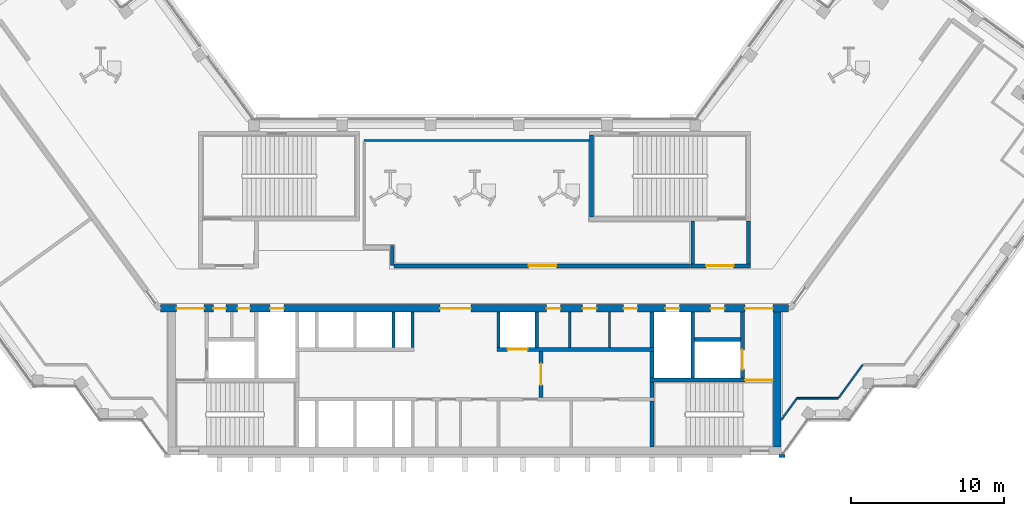
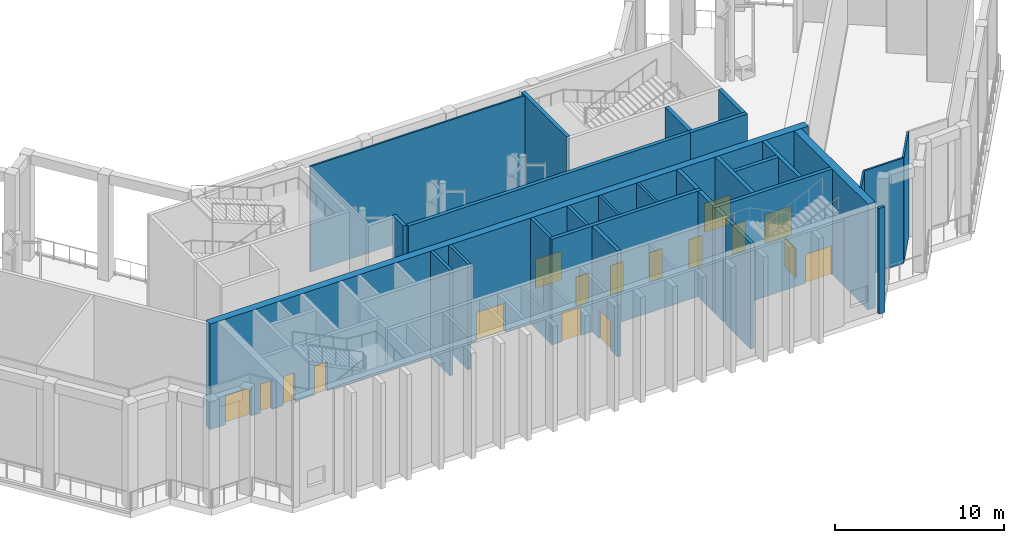
# One storey, part 4 of 12: 29 walls, 17 doors, 17 openings.
"""IFC4 building model written with IfcOpenShell, lengths in metres."""

from ifc_helpers import new_model, si_unit, direction, frame, frame_2d, origin, place, context, subcontext, project, spatial, rectangle, extrude, material, layer, layer_set, type_object, element, fill, save


model = new_model("IFC4")

# Units and contexts
model_context = context("Model", 3, precision=1e-05, world=origin(), true_north=direction((0.0, 1.0)))
body_context = subcontext(model_context, "Body", "Model", "MODEL_VIEW")
ifc_project = project(units=[si_unit("LENGTHUNIT", "METRE"), si_unit("AREAUNIT", "SQUARE_METRE"), si_unit("VOLUMEUNIT", "CUBIC_METRE"), si_unit("PLANEANGLEUNIT", "RADIAN"), si_unit("MASSUNIT", "GRAM", prefix="KILO")], contexts=[model_context])

# Site, building, storey
site_placement = place(None, origin())
site = spatial("IfcSite", under=ifc_project, at=site_placement, CompositionType="ELEMENT")
building_placement = place(site_placement, origin())
building = spatial("IfcBuilding", under=site, at=building_placement, Name="Quipu Civic Tower", CompositionType="ELEMENT")
storey_placement = place(building_placement, frame((0.0, 0.0, 273.0)))
storey = spatial("IfcBuildingStorey", under=building, at=storey_placement, Name="L64", CompositionType="ELEMENT", Elevation=273.0)

# Wall
ifc_material_1 = material(Name="Concrete C70/85", Category="concrete")
ifc_layer_1 = layer(ifc_material_1, 0.25)
ifc_layer_set_1 = layer_set([ifc_layer_1], Name="Concrete C70/85")
wall_type_1 = type_object("IfcWallType", Name="Core wall 250", PredefinedType="SHEAR", material=ifc_layer_set_1)
wall_1_placement = place(storey_placement, frame((11.574951171875, -10.5, 0.0), z_axis=(0.0, 0.0, 1.0), x_axis=(0.0, 1.0, 0.0)))
element("IfcWall", 1, at=wall_1_placement, inside=storey, type_object=wall_type_1, Name="Core wall", PredefinedType="SHEAR", context=body_context, shape_type="SweptSolid", body=[
    extrude(rectangle(XDim=3.0, YDim=0.25, at=frame_2d((1.5, 0.0))), origin(), (0.0, 0.0, 1.0), 7.64990234375),
])

# Wall, opening, door
wall_2_placement = place(storey_placement, frame((4.324951171875, -7.25, 0.0), z_axis=(0.0, 0.0, 1.0), x_axis=(0.0, 1.0, 0.0)))
wall_2 = element("IfcWall", 2, at=wall_2_placement, inside=storey, type_object=wall_type_1, Name="Core wall", PredefinedType="SHEAR", context=body_context, shape_type="SweptSolid", body=[
    extrude(rectangle(XDim=3.0, YDim=0.25, at=frame_2d((1.5, 0.0))), origin(), (0.0, 0.0, 1.0), 7.64990234375),
])
opening_1_placement = place(wall_2_placement, frame((0.800048828125, 0.0, 0.0)))
opening_1 = element("IfcOpeningElement", 3, at=opening_1_placement, cuts=wall_2, Name="Opening CD-08", PredefinedType="OPENING", context=body_context, shape_type="SweptSolid", body=[
    extrude(rectangle(XDim=1.39990234375, YDim=2.10009765625, at=frame_2d((0.699951171875, 1.050048828125))), frame((0.0, 0.135009765625, 0.0), z_axis=(0.0, -1.0, 0.0), x_axis=(1.0, 0.0, 0.0)), (0.0, 0.0, 1.0), 0.27001953125),
])
ifc_material_2 = material(Name="Fire rated steel door", Category="steel")
door_type_1 = type_object("IfcDoorType", Name="Fire door FD60 double 1400 x 2100", OperationType="NOTDEFINED", PredefinedType="DOOR", material=ifc_material_2)
door_1_placement = place(opening_1_placement, origin())
door_1 = element("IfcDoor", 4, at=door_1_placement, inside=storey, type_object=door_type_1, Name="Hall door", OperationType="DOUBLE_DOOR_SINGLE_SWING", OverallHeight=2.10009765625, OverallWidth=1.39990234375, PredefinedType="DOOR", context=body_context, shape_type="SweptSolid", body=[
    extrude(rectangle(XDim=1.39990234375, YDim=2.10009765625, at=frame_2d((0.699951171875, 1.050048828125))), frame((0.0, 0.02490234375, 0.0), z_axis=(0.0, -1.0, 0.0), x_axis=(1.0, 0.0, 0.0)), (0.0, 0.0, 1.0), 0.050048828125),
])
fill(opening_1, door_1)

# Wall
wall_3_placement = place(storey_placement, frame((11.574951171875, -7.25, 0.0), z_axis=(0.0, 0.0, 1.0), x_axis=(0.0, 1.0, 0.0)))
element("IfcWall", 5, at=wall_3_placement, inside=storey, type_object=wall_type_1, Name="Core wall", PredefinedType="SHEAR", context=body_context, shape_type="SweptSolid", body=[
    extrude(rectangle(XDim=1.0, YDim=0.25, at=frame_2d((0.5, 0.0))), origin(), (0.0, 0.0, 1.0), 7.64990234375),
])

# Wall, opening, door
wall_4_placement = place(storey_placement, frame((19.5, -6.125, 0.0), z_axis=(0.0, 0.0, 1.0), x_axis=(-1.0, 0.0, 0.0)))
wall_4 = element("IfcWall", 6, at=wall_4_placement, inside=storey, type_object=wall_type_1, Name="Core wall", PredefinedType="SHEAR", context=body_context, shape_type="SweptSolid", body=[
    extrude(rectangle(XDim=8.050048828125, YDim=0.25, at=frame_2d((4.02490234375, 0.0))), origin(), (0.0, 0.0, 1.0), 7.64990234375),
])
opening_2_placement = place(wall_4_placement, frame((0.050048828125, 0.0, 0.0)))
opening_2 = element("IfcOpeningElement", 7, at=opening_2_placement, cuts=wall_4, Name="Opening CD-07", PredefinedType="OPENING", context=body_context, shape_type="SweptSolid", body=[
    extrude(rectangle(XDim=1.800048828125, YDim=2.10009765625, at=frame_2d((0.89990234375, 1.050048828125))), frame((0.0, 0.135009765625, 0.0), z_axis=(0.0, -1.0, 0.0), x_axis=(1.0, 0.0, 0.0)), (0.0, 0.0, 1.0), 0.27001953125),
])
ifc_material_3 = material(Name="Fire rated steel door", Category="steel")
door_type_2 = type_object("IfcDoorType", Name="Fire door FD90 double 1800 x 2100", OperationType="NOTDEFINED", PredefinedType="DOOR", material=ifc_material_3)
door_2_placement = place(opening_2_placement, origin())
door_2 = element("IfcDoor", 8, at=door_2_placement, inside=storey, type_object=door_type_2, Name="Door", OperationType="DOUBLE_DOOR_SINGLE_SWING", OverallHeight=2.10009765625, OverallWidth=1.800048828125, PredefinedType="DOOR", context=body_context, shape_type="SweptSolid", body=[
    extrude(rectangle(XDim=1.800048828125, YDim=2.10009765625, at=frame_2d((0.89990234375, 1.050048828125))), frame((0.0, 0.02490234375, 0.0), z_axis=(0.0, -1.0, 0.0), x_axis=(1.0, 0.0, 0.0)), (0.0, 0.0, 1.0), 0.050048828125),
])
fill(opening_2, door_2)

# Walls
wall_5_placement = place(storey_placement, frame((11.574951171875, -6.0, 0.0), z_axis=(0.0, 0.0, 1.0), x_axis=(0.0, 1.0, 0.0)))
element("IfcWall", 9, at=wall_5_placement, inside=storey, type_object=wall_type_1, Name="Core wall", PredefinedType="SHEAR", context=body_context, shape_type="SweptSolid", body=[
    extrude(rectangle(XDim=1.75, YDim=0.25, at=frame_2d((0.875, 0.0))), origin(), (0.0, 0.0, 1.0), 7.64990234375),
])
wall_6_placement = place(storey_placement, frame((14.22509765625, -6.0, 0.0), z_axis=(0.0, 0.0, 1.0), x_axis=(0.0, 1.0, 0.0)))
element("IfcWall", 10, at=wall_6_placement, inside=storey, type_object=wall_type_1, Name="Core wall", PredefinedType="SHEAR", context=body_context, shape_type="SweptSolid", body=[
    extrude(rectangle(XDim=4.300048828125, YDim=0.25, at=frame_2d((2.14990234375, 0.0))), origin(), (0.0, 0.0, 1.0), 7.64990234375),
])

# Wall, opening, door
wall_7_placement = place(storey_placement, frame((17.47509765625, -6.0, 0.0), z_axis=(0.0, 0.0, 1.0), x_axis=(0.0, 1.0, 0.0)))
wall_7 = element("IfcWall", 11, at=wall_7_placement, inside=storey, type_object=wall_type_1, Name="Core wall", PredefinedType="SHEAR", context=body_context, shape_type="SweptSolid", body=[
    extrude(rectangle(XDim=4.300048828125, YDim=0.25, at=frame_2d((2.14990234375, 0.0))), origin(), (0.0, 0.0, 1.0), 7.64990234375),
])
opening_3_placement = place(wall_7_placement, frame((0.550048828125, 0.0, 0.0)))
opening_3 = element("IfcOpeningElement", 12, at=opening_3_placement, cuts=wall_7, Name="Opening LD-FF2", PredefinedType="OPENING", context=body_context, shape_type="SweptSolid", body=[
    extrude(rectangle(XDim=1.300048828125, YDim=2.10009765625, at=frame_2d((0.64990234375, 1.050048828125))), frame((0.0, 0.135009765625, 0.0), z_axis=(0.0, -1.0, 0.0), x_axis=(1.0, 0.0, 0.0)), (0.0, 0.0, 1.0), 0.27001953125),
])
ifc_material_4 = material(Name="Stainless steel", Category="steel")
door_type_3 = type_object("IfcDoorType", Name="Lift landing door 1300 x 2100", OperationType="DOUBLE_DOOR_SLIDING", PredefinedType="DOOR", material=ifc_material_4)
door_3_placement = place(opening_3_placement, origin())
door_3 = element("IfcDoor", 13, at=door_3_placement, inside=storey, type_object=door_type_3, Name="Landing door FF2", OperationType="DOUBLE_DOOR_SLIDING", OverallHeight=2.10009765625, OverallWidth=1.300048828125, PredefinedType="DOOR", context=body_context, shape_type="SweptSolid", body=[
    extrude(rectangle(XDim=1.300048828125, YDim=2.10009765625, at=frame_2d((0.64990234375, 1.050048828125))), frame((0.0, 0.02490234375, 0.0), z_axis=(0.0, -1.0, 0.0), x_axis=(1.0, 0.0, 0.0)), (0.0, 0.0, 1.0), 0.050048828125),
])
fill(opening_3, door_3)

wall_8_placement = place(storey_placement, frame((1.449951171875, -4.125, 0.0), z_axis=(0.0, 0.0, 1.0), x_axis=(1.0, 0.0, 0.0)))
wall_8 = element("IfcWall", 14, at=wall_8_placement, inside=storey, type_object=wall_type_1, Name="Core wall", PredefinedType="SHEAR", context=body_context, shape_type="SweptSolid", body=[
    extrude(rectangle(XDim=10.25, YDim=0.25, at=frame_2d((5.125, 0.0))), origin(), (0.0, 0.0, 1.0), 7.64990234375),
])
opening_4_placement = place(wall_8_placement, frame((0.699951171875, 0.0, 0.0)))
opening_4 = element("IfcOpeningElement", 15, at=opening_4_placement, cuts=wall_8, Name="Opening LD-FF3", PredefinedType="OPENING", context=body_context, shape_type="SweptSolid", body=[
    extrude(rectangle(XDim=1.300048828125, YDim=2.10009765625, at=frame_2d((0.64990234375, 1.050048828125))), frame((0.0, 0.135009765625, 0.0), z_axis=(0.0, -1.0, 0.0), x_axis=(1.0, 0.0, 0.0)), (0.0, 0.0, 1.0), 0.27001953125),
])
door_4_placement = place(opening_4_placement, origin())
door_4 = element("IfcDoor", 16, at=door_4_placement, inside=storey, type_object=door_type_3, Name="Landing door FF3", OperationType="DOUBLE_DOOR_SLIDING", OverallHeight=2.10009765625, OverallWidth=1.300048828125, PredefinedType="DOOR", context=body_context, shape_type="SweptSolid", body=[
    extrude(rectangle(XDim=1.300048828125, YDim=2.10009765625, at=frame_2d((0.64990234375, 1.050048828125))), frame((0.0, 0.02490234375, 0.0), z_axis=(0.0, -1.0, 0.0), x_axis=(1.0, 0.0, 0.0)), (0.0, 0.0, 1.0), 0.050048828125),
])
fill(opening_4, door_4)

# Walls
wall_9_placement = place(storey_placement, frame((11.574951171875, -4.0, 0.0), z_axis=(0.0, 0.0, 1.0), x_axis=(0.0, 1.0, 0.0)))
element("IfcWall", 17, at=wall_9_placement, inside=storey, type_object=wall_type_1, Name="Core wall", PredefinedType="SHEAR", context=body_context, shape_type="SweptSolid", body=[
    extrude(rectangle(XDim=2.300048828125, YDim=0.25, at=frame_2d((1.14990234375, 0.0))), origin(), (0.0, 0.0, 1.0), 7.64990234375),
])
wall_10_placement = place(storey_placement, frame((14.35009765625, -3.47509765625, 0.0), z_axis=(0.0, 0.0, 1.0), x_axis=(1.0, 0.0, 0.0)))
element("IfcWall", 18, at=wall_10_placement, inside=storey, type_object=wall_type_1, Name="Core wall", PredefinedType="SHEAR", context=body_context, shape_type="SweptSolid", body=[
    extrude(rectangle(XDim=3.0, YDim=0.25, at=frame_2d((1.5, 0.0))), origin(), (0.0, 0.0, 1.0), 7.64990234375),
])

# Wall, opening, door
wall_11_placement = place(storey_placement, frame((14.10009765625, 1.324951171875, 0.0), z_axis=(0.0, 0.0, 1.0), x_axis=(1.0, 0.0, 0.0)))
wall_11 = element("IfcWall", 19, at=wall_11_placement, inside=storey, type_object=wall_type_1, Name="Core wall", PredefinedType="SHEAR", context=body_context, shape_type="SweptSolid", body=[
    extrude(rectangle(XDim=3.89990234375, YDim=0.25, at=frame_2d((1.949951171875, 0.0))), origin(), (0.0, 0.0, 1.0), 7.64990234375),
])
opening_5_placement = place(wall_11_placement, frame((1.0, 0.0, 0.0)))
opening_5 = element("IfcOpeningElement", 20, at=opening_5_placement, cuts=wall_11, Name="Opening CD-22", PredefinedType="OPENING", context=body_context, shape_type="SweptSolid", body=[
    extrude(rectangle(XDim=1.800048828125, YDim=2.10009765625, at=frame_2d((0.89990234375, 1.050048828125))), frame((0.0, 0.135009765625, 0.0), z_axis=(0.0, -1.0, 0.0), x_axis=(1.0, 0.0, 0.0)), (0.0, 0.0, 1.0), 0.27001953125),
])
door_5_placement = place(opening_5_placement, origin())
door_5 = element("IfcDoor", 21, at=door_5_placement, inside=storey, type_object=door_type_2, Name="Lobby door", OperationType="DOUBLE_DOOR_SINGLE_SWING", OverallHeight=2.10009765625, OverallWidth=1.800048828125, PredefinedType="DOOR", context=body_context, shape_type="SweptSolid", body=[
    extrude(rectangle(XDim=1.800048828125, YDim=2.10009765625, at=frame_2d((0.89990234375, 1.050048828125))), frame((0.0, 0.02490234375, 0.0), z_axis=(0.0, -1.0, 0.0), x_axis=(1.0, 0.0, 0.0)), (0.0, 0.0, 1.0), 0.050048828125),
])
fill(opening_5, door_5)

# Walls
for number, where, z_axis, x_axis, name in (
    (22, (14.22509765625, 1.449951171875, 0.0), (0.0, 0.0, 1.0), (0.0, 1.0, 0.0), "Core wall"),
    (23, (17.875, 1.449951171875, 0.0), (0.0, 0.0, 1.0), (0.0, 1.0, 0.0), "Core wall"),
):
    element("IfcWall", number, at=place(storey_placement, frame(where, z_axis=z_axis, x_axis=x_axis)), inside=storey, type_object=wall_type_1, Name=name, PredefinedType="SHEAR", context=body_context, shape_type="SweptSolid", body=[
        extrude(rectangle(XDim=2.800048828125, YDim=0.25, at=frame_2d((1.39990234375, 0.0))), origin(), (0.0, 0.0, 1.0), 7.64990234375),
    ])
wall_12_placement = place(storey_placement, frame((7.625, 4.5, 0.0), z_axis=(0.0, 0.0, 1.0), x_axis=(0.0, 1.0, 0.0)))
element("IfcWall", 24, at=wall_12_placement, inside=storey, type_object=wall_type_1, Name="Core wall", PredefinedType="SHEAR", context=body_context, shape_type="SweptSolid", body=[
    extrude(rectangle(XDim=5.35009765625, YDim=0.25, at=frame_2d((2.675048828125, 0.0))), origin(), (0.0, 0.0, 1.0), 7.64990234375),
])
ifc_material_5 = material(Name="Concrete C70/85", Category="concrete")
ifc_layer_2 = layer(ifc_material_5, 0.5)
ifc_layer_set_2 = layer_set([ifc_layer_2], Name="Concrete C70/85")
wall_type_2 = type_object("IfcWallType", Name="Core wall 500", PredefinedType="SHEAR", material=ifc_layer_set_2)
wall_13_placement = place(storey_placement, frame((19.75, -10.5, 0.0), z_axis=(0.0, 0.0, 1.0), x_axis=(0.0, 1.0, 0.0)))
element("IfcWall", 25, at=wall_13_placement, inside=storey, type_object=wall_type_2, Name="Core wall", PredefinedType="SHEAR", context=body_context, shape_type="SweptSolid", body=[
    extrude(rectangle(XDim=8.800048828125, YDim=0.5, at=frame_2d((4.39990234375, 0.0))), origin(), (0.0, 0.0, 1.0), 7.64990234375),
])

# Wall, openings, doors
wall_14_placement = place(storey_placement, frame((20.489990234375, -1.449951171875, 0.0), z_axis=(0.0, 0.0, 1.0), x_axis=(-1.0, 0.0, 0.0)))
wall_14 = element("IfcWall", 26, at=wall_14_placement, inside=storey, type_object=wall_type_2, Name="Core wall", PredefinedType="SHEAR", context=body_context, shape_type="SweptSolid", body=[
    extrude(rectangle(XDim=40.97998046875, YDim=0.5, at=frame_2d((20.489990234375, 0.0))), origin(), (0.0, 0.0, 1.0), 7.64990234375),
])
opening_6_placement = place(wall_14_placement, frame((38.139892578125, 0.0, 0.0)))
opening_6 = element("IfcOpeningElement", 27, at=opening_6_placement, cuts=wall_14, Name="Opening CD-09", PredefinedType="OPENING", context=body_context, shape_type="SweptSolid", body=[
    extrude(rectangle(XDim=1.800048828125, YDim=2.10009765625, at=frame_2d((0.89990234375, 1.050048828125))), frame((0.0, 0.260009765625, 0.0), z_axis=(0.0, -1.0, 0.0), x_axis=(1.0, 0.0, 0.0)), (0.0, 0.0, 1.0), 0.52001953125),
])
opening_7_placement = place(wall_14_placement, frame((36.7275390625, 0.0, 0.0)))
opening_7 = element("IfcOpeningElement", 28, at=opening_7_placement, cuts=wall_14, Name="Opening CD-10", PredefinedType="OPENING", context=body_context, shape_type="SweptSolid", body=[
    extrude(rectangle(XDim=0.800048828125, YDim=2.10009765625, at=frame_2d((0.39990234375, 1.050048828125))), frame((0.0, 0.260009765625, 0.0), z_axis=(0.0, -1.0, 0.0), x_axis=(1.0, 0.0, 0.0)), (0.0, 0.0, 1.0), 0.52001953125),
])
opening_8_placement = place(wall_14_placement, frame((35.152587890625, 0.0, 0.0)))
opening_8 = element("IfcOpeningElement", 29, at=opening_8_placement, cuts=wall_14, Name="Opening CD-11", PredefinedType="OPENING", context=body_context, shape_type="SweptSolid", body=[
    extrude(rectangle(XDim=0.800048828125, YDim=2.10009765625, at=frame_2d((0.39990234375, 1.050048828125))), frame((0.0, 0.260009765625, 0.0), z_axis=(0.0, -1.0, 0.0), x_axis=(1.0, 0.0, 0.0)), (0.0, 0.0, 1.0), 0.52001953125),
])
opening_9_placement = place(wall_14_placement, frame((32.93994140625, 0.0, 0.0)))
opening_9 = element("IfcOpeningElement", 30, at=opening_9_placement, cuts=wall_14, Name="Opening CD-12", PredefinedType="OPENING", context=body_context, shape_type="SweptSolid", body=[
    extrude(rectangle(XDim=0.89990234375, YDim=2.10009765625, at=frame_2d((0.449951171875, 1.050048828125))), frame((0.0, 0.260009765625, 0.0), z_axis=(0.0, -1.0, 0.0), x_axis=(1.0, 0.0, 0.0)), (0.0, 0.0, 1.0), 0.52001953125),
])
opening_10_placement = place(wall_14_placement, frame((20.739990234375, 0.0, 0.0)))
opening_10 = element("IfcOpeningElement", 31, at=opening_10_placement, cuts=wall_14, Name="Opening CD-13", PredefinedType="OPENING", context=body_context, shape_type="SweptSolid", body=[
    extrude(rectangle(XDim=2.0, YDim=2.10009765625, at=frame_2d((1.0, 1.050048828125))), frame((0.0, 0.260009765625, 0.0), z_axis=(0.0, -1.0, 0.0), x_axis=(1.0, 0.0, 0.0)), (0.0, 0.0, 1.0), 0.52001953125),
])
opening_11_placement = place(wall_14_placement, frame((14.902587890625, 0.0, 0.0)))
opening_11 = element("IfcOpeningElement", 32, at=opening_11_placement, cuts=wall_14, Name="Opening CD-14", PredefinedType="OPENING", context=body_context, shape_type="SweptSolid", body=[
    extrude(rectangle(XDim=0.89990234375, YDim=2.10009765625, at=frame_2d((0.449951171875, 1.050048828125))), frame((0.0, 0.260009765625, 0.0), z_axis=(0.0, -1.0, 0.0), x_axis=(1.0, 0.0, 0.0)), (0.0, 0.0, 1.0), 0.52001953125),
])
opening_12_placement = place(wall_14_placement, frame((12.5400390625, 0.0, 0.0)))
opening_12 = element("IfcOpeningElement", 33, at=opening_12_placement, cuts=wall_14, Name="Opening CD-15", PredefinedType="OPENING", context=body_context, shape_type="SweptSolid", body=[
    extrude(rectangle(XDim=0.89990234375, YDim=2.10009765625, at=frame_2d((0.449951171875, 1.050048828125))), frame((0.0, 0.260009765625, 0.0), z_axis=(0.0, -1.0, 0.0), x_axis=(1.0, 0.0, 0.0)), (0.0, 0.0, 1.0), 0.52001953125),
])
opening_13_placement = place(wall_14_placement, frame((9.87744140625, 0.0, 0.0)))
opening_13 = element("IfcOpeningElement", 34, at=opening_13_placement, cuts=wall_14, Name="Opening CD-16", PredefinedType="OPENING", context=body_context, shape_type="SweptSolid", body=[
    extrude(rectangle(XDim=0.89990234375, YDim=2.10009765625, at=frame_2d((0.449951171875, 1.050048828125))), frame((0.0, 0.260009765625, 0.0), z_axis=(0.0, -1.0, 0.0), x_axis=(1.0, 0.0, 0.0)), (0.0, 0.0, 1.0), 0.52001953125),
])
opening_14_placement = place(wall_14_placement, frame((7.139892578125, 0.0, 0.0)))
opening_14 = element("IfcOpeningElement", 35, at=opening_14_placement, cuts=wall_14, Name="Opening CD-17", PredefinedType="OPENING", context=body_context, shape_type="SweptSolid", body=[
    extrude(rectangle(XDim=0.89990234375, YDim=2.10009765625, at=frame_2d((0.449951171875, 1.050048828125))), frame((0.0, 0.260009765625, 0.0), z_axis=(0.0, -1.0, 0.0), x_axis=(1.0, 0.0, 0.0)), (0.0, 0.0, 1.0), 0.52001953125),
])
opening_15_placement = place(wall_14_placement, frame((4.18994140625, 0.0, 0.0)))
opening_15 = element("IfcOpeningElement", 36, at=opening_15_placement, cuts=wall_14, Name="Opening CD-18", PredefinedType="OPENING", context=body_context, shape_type="SweptSolid", body=[
    extrude(rectangle(XDim=0.89990234375, YDim=2.10009765625, at=frame_2d((0.449951171875, 1.050048828125))), frame((0.0, 0.260009765625, 0.0), z_axis=(0.0, -1.0, 0.0), x_axis=(1.0, 0.0, 0.0)), (0.0, 0.0, 1.0), 0.52001953125),
])
opening_16_placement = place(wall_14_placement, frame((1.0400390625, 0.0, 0.0)))
opening_16 = element("IfcOpeningElement", 37, at=opening_16_placement, cuts=wall_14, Name="Opening CD-19", PredefinedType="OPENING", context=body_context, shape_type="SweptSolid", body=[
    extrude(rectangle(XDim=1.800048828125, YDim=2.10009765625, at=frame_2d((0.89990234375, 1.050048828125))), frame((0.0, 0.260009765625, 0.0), z_axis=(0.0, -1.0, 0.0), x_axis=(1.0, 0.0, 0.0)), (0.0, 0.0, 1.0), 0.52001953125),
])
ifc_material_6 = material(Name="Fire rated steel door", Category="steel")
door_type_4 = type_object("IfcDoorType", Name="Fire door FD60 800 x 2100", OperationType="NOTDEFINED", PredefinedType="DOOR", material=ifc_material_6)
door_6_placement = place(opening_7_placement, origin())
door_6 = element("IfcDoor", 38, at=door_6_placement, inside=storey, type_object=door_type_4, Name="Door", OperationType="SINGLE_SWING_RIGHT", OverallHeight=2.10009765625, OverallWidth=0.800048828125, PredefinedType="DOOR", context=body_context, shape_type="SweptSolid", body=[
    extrude(rectangle(XDim=0.800048828125, YDim=2.10009765625, at=frame_2d((0.39990234375, 1.050048828125))), frame((0.0, 0.02490234375, 0.0), z_axis=(0.0, -1.0, 0.0), x_axis=(1.0, 0.0, 0.0)), (0.0, 0.0, 1.0), 0.050048828125),
])
fill(opening_7, door_6)
door_7_placement = place(opening_8_placement, origin())
door_7 = element("IfcDoor", 39, at=door_7_placement, inside=storey, type_object=door_type_4, Name="Door", OperationType="SINGLE_SWING_RIGHT", OverallHeight=2.10009765625, OverallWidth=0.800048828125, PredefinedType="DOOR", context=body_context, shape_type="SweptSolid", body=[
    extrude(rectangle(XDim=0.800048828125, YDim=2.10009765625, at=frame_2d((0.39990234375, 1.050048828125))), frame((0.0, 0.02490234375, 0.0), z_axis=(0.0, -1.0, 0.0), x_axis=(1.0, 0.0, 0.0)), (0.0, 0.0, 1.0), 0.050048828125),
])
fill(opening_8, door_7)
ifc_material_7 = material(Name="Fire rated steel door", Category="steel")
door_type_5 = type_object("IfcDoorType", Name="Fire door FD60 900 x 2100", OperationType="NOTDEFINED", PredefinedType="DOOR", material=ifc_material_7)
door_8_placement = place(opening_9_placement, origin())
door_8 = element("IfcDoor", 40, at=door_8_placement, inside=storey, type_object=door_type_5, Name="Riser door", OperationType="SINGLE_SWING_RIGHT", OverallHeight=2.10009765625, OverallWidth=0.89990234375, PredefinedType="DOOR", context=body_context, shape_type="SweptSolid", body=[
    extrude(rectangle(XDim=0.89990234375, YDim=2.10009765625, at=frame_2d((0.449951171875, 1.050048828125))), frame((0.0, 0.02490234375, 0.0), z_axis=(0.0, -1.0, 0.0), x_axis=(1.0, 0.0, 0.0)), (0.0, 0.0, 1.0), 0.050048828125),
])
fill(opening_9, door_8)
door_9_placement = place(opening_11_placement, origin())
door_9 = element("IfcDoor", 41, at=door_9_placement, inside=storey, type_object=door_type_5, Name="Door", OperationType="SINGLE_SWING_LEFT", OverallHeight=2.10009765625, OverallWidth=0.89990234375, PredefinedType="DOOR", context=body_context, shape_type="SweptSolid", body=[
    extrude(rectangle(XDim=0.89990234375, YDim=2.10009765625, at=frame_2d((0.449951171875, 1.050048828125))), frame((0.0, 0.02490234375, 0.0), z_axis=(0.0, -1.0, 0.0), x_axis=(1.0, 0.0, 0.0)), (0.0, 0.0, 1.0), 0.050048828125),
])
fill(opening_11, door_9)
door_10_placement = place(opening_12_placement, origin())
door_10 = element("IfcDoor", 42, at=door_10_placement, inside=storey, type_object=door_type_5, Name="Door", OperationType="SINGLE_SWING_LEFT", OverallHeight=2.10009765625, OverallWidth=0.89990234375, PredefinedType="DOOR", context=body_context, shape_type="SweptSolid", body=[
    extrude(rectangle(XDim=0.89990234375, YDim=2.10009765625, at=frame_2d((0.449951171875, 1.050048828125))), frame((0.0, 0.02490234375, 0.0), z_axis=(0.0, -1.0, 0.0), x_axis=(1.0, 0.0, 0.0)), (0.0, 0.0, 1.0), 0.050048828125),
])
fill(opening_12, door_10)
door_11_placement = place(opening_13_placement, origin())
door_11 = element("IfcDoor", 43, at=door_11_placement, inside=storey, type_object=door_type_5, Name="Door", OperationType="SINGLE_SWING_LEFT", OverallHeight=2.10009765625, OverallWidth=0.89990234375, PredefinedType="DOOR", context=body_context, shape_type="SweptSolid", body=[
    extrude(rectangle(XDim=0.89990234375, YDim=2.10009765625, at=frame_2d((0.449951171875, 1.050048828125))), frame((0.0, 0.02490234375, 0.0), z_axis=(0.0, -1.0, 0.0), x_axis=(1.0, 0.0, 0.0)), (0.0, 0.0, 1.0), 0.050048828125),
])
fill(opening_13, door_11)
door_12_placement = place(opening_14_placement, origin())
door_12 = element("IfcDoor", 44, at=door_12_placement, inside=storey, type_object=door_type_5, Name="Riser door", OperationType="SINGLE_SWING_LEFT", OverallHeight=2.10009765625, OverallWidth=0.89990234375, PredefinedType="DOOR", context=body_context, shape_type="SweptSolid", body=[
    extrude(rectangle(XDim=0.89990234375, YDim=2.10009765625, at=frame_2d((0.449951171875, 1.050048828125))), frame((0.0, 0.02490234375, 0.0), z_axis=(0.0, -1.0, 0.0), x_axis=(1.0, 0.0, 0.0)), (0.0, 0.0, 1.0), 0.050048828125),
])
fill(opening_14, door_12)
door_13_placement = place(opening_15_placement, origin())
door_13 = element("IfcDoor", 45, at=door_13_placement, inside=storey, type_object=door_type_5, Name="Door", OperationType="SINGLE_SWING_LEFT", OverallHeight=2.10009765625, OverallWidth=0.89990234375, PredefinedType="DOOR", context=body_context, shape_type="SweptSolid", body=[
    extrude(rectangle(XDim=0.89990234375, YDim=2.10009765625, at=frame_2d((0.449951171875, 1.050048828125))), frame((0.0, 0.02490234375, 0.0), z_axis=(0.0, -1.0, 0.0), x_axis=(1.0, 0.0, 0.0)), (0.0, 0.0, 1.0), 0.050048828125),
])
fill(opening_15, door_13)
door_14_placement = place(opening_6_placement, origin())
door_14 = element("IfcDoor", 46, at=door_14_placement, inside=storey, type_object=door_type_2, Name="Lobby door", OperationType="DOUBLE_DOOR_SINGLE_SWING", OverallHeight=2.10009765625, OverallWidth=1.800048828125, PredefinedType="DOOR", context=body_context, shape_type="SweptSolid", body=[
    extrude(rectangle(XDim=1.800048828125, YDim=2.10009765625, at=frame_2d((0.89990234375, 1.050048828125))), frame((0.0, 0.02490234375, 0.0), z_axis=(0.0, -1.0, 0.0), x_axis=(1.0, 0.0, 0.0)), (0.0, 0.0, 1.0), 0.050048828125),
])
fill(opening_6, door_14)
door_15_placement = place(opening_16_placement, origin())
door_15 = element("IfcDoor", 47, at=door_15_placement, inside=storey, type_object=door_type_2, Name="Lobby door", OperationType="DOUBLE_DOOR_SINGLE_SWING", OverallHeight=2.10009765625, OverallWidth=1.800048828125, PredefinedType="DOOR", context=body_context, shape_type="SweptSolid", body=[
    extrude(rectangle(XDim=1.800048828125, YDim=2.10009765625, at=frame_2d((0.89990234375, 1.050048828125))), frame((0.0, 0.02490234375, 0.0), z_axis=(0.0, -1.0, 0.0), x_axis=(1.0, 0.0, 0.0)), (0.0, 0.0, 1.0), 0.050048828125),
])
fill(opening_16, door_15)
ifc_material_8 = material(Name="Fire rated steel door", Category="steel")
door_type_6 = type_object("IfcDoorType", Name="Fire door FD90 double 2000 x 2100", OperationType="NOTDEFINED", PredefinedType="DOOR", material=ifc_material_8)
door_16_placement = place(opening_10_placement, origin())
door_16 = element("IfcDoor", 48, at=door_16_placement, inside=storey, type_object=door_type_6, Name="Lobby door", OperationType="DOUBLE_DOOR_SINGLE_SWING", OverallHeight=2.10009765625, OverallWidth=2.0, PredefinedType="DOOR", context=body_context, shape_type="SweptSolid", body=[
    extrude(rectangle(XDim=2.0, YDim=2.10009765625, at=frame_2d((1.0, 1.050048828125))), frame((0.0, 0.02490234375, 0.0), z_axis=(0.0, -1.0, 0.0), x_axis=(1.0, 0.0, 0.0)), (0.0, 0.0, 1.0), 0.050048828125),
])
fill(opening_10, door_16)

# Wall
ifc_material_9 = material(Name="Concrete C50/60", Category="concrete")
ifc_layer_3 = layer(ifc_material_9, 0.25)
ifc_layer_set_3 = layer_set([ifc_layer_3], Name="Concrete C50/60")
wall_type_3 = type_object("IfcWallType", Name="Corridor wall 250 concrete", PredefinedType="SOLIDWALL", material=ifc_layer_set_3)
wall_15_placement = place(storey_placement, frame((-5.375, 2.64990234375, 0.0), z_axis=(0.0, 0.0, 1.0), x_axis=(0.0, -1.0, 0.0)))
element("IfcWall", 49, at=wall_15_placement, inside=storey, type_object=wall_type_3, Name="Corridor wall C01", PredefinedType="SOLIDWALL", context=body_context, shape_type="SweptSolid", body=[
    extrude(rectangle(XDim=1.291259765625, YDim=0.25, at=frame_2d((0.6455078125, 0.0))), origin(), (0.0, 0.0, 1.0), 7.64990234375),
])

# Wall, opening, door
wall_16_placement = place(storey_placement, frame((-5.246337890625, 1.324951171875, 0.0), z_axis=(0.0, 0.0, 1.0), x_axis=(1.0, 0.0, 0.0)))
wall_16 = element("IfcWall", 50, at=wall_16_placement, inside=storey, type_object=wall_type_3, Name="Corridor wall C02", PredefinedType="SOLIDWALL", context=body_context, shape_type="SweptSolid", body=[
    extrude(rectangle(XDim=19.33642578125, YDim=0.25, at=frame_2d((9.668212890625, 0.0))), origin(), (0.0, 0.0, 1.0), 7.64990234375),
])
opening_17_placement = place(wall_16_placement, frame((8.771240234375, 0.0, 0.0)))
opening_17 = element("IfcOpeningElement", 51, at=opening_17_placement, cuts=wall_16, Name="Opening D001", PredefinedType="OPENING", context=body_context, shape_type="SweptSolid", body=[
    extrude(rectangle(XDim=1.800048828125, YDim=2.10009765625, at=frame_2d((0.89990234375, 1.050048828125))), frame((0.0, 0.135009765625, 0.0), z_axis=(0.0, -1.0, 0.0), x_axis=(1.0, 0.0, 0.0)), (0.0, 0.0, 1.0), 0.27001953125),
])
ifc_material_10 = material(Name="Fire rated timber door set with metal frame", Category="wood")
door_type_7 = type_object("IfcDoorType", Name="Double door 1800 x 2100 FD60", OperationType="DOUBLE_DOOR_SINGLE_SWING", PredefinedType="DOOR", material=ifc_material_10)
door_17_placement = place(opening_17_placement, origin())
door_17 = element("IfcDoor", 52, at=door_17_placement, inside=storey, type_object=door_type_7, Name="Door D001", OperationType="DOUBLE_DOOR_SINGLE_SWING", OverallHeight=2.10009765625, OverallWidth=1.800048828125, PredefinedType="DOOR", context=body_context, shape_type="SweptSolid", body=[
    extrude(rectangle(XDim=1.800048828125, YDim=2.10009765625, at=frame_2d((0.89990234375, 1.050048828125))), frame((0.0, 0.02490234375, 0.0), z_axis=(0.0, -1.0, 0.0), x_axis=(1.0, 0.0, 0.0)), (0.0, 0.0, 1.0), 0.050048828125),
])
fill(opening_17, door_17)

# Walls
ifc_material_11 = material(Name="Gypsum plasterboard on light gauge framing")
ifc_layer_4 = layer(ifc_material_11, 0.1201171875)
ifc_layer_set_4 = layer_set([ifc_layer_4], Name="Gypsum plasterboard on light gauge framing")
wall_type_4 = type_object("IfcWallType", Name="Partition 120 plasterboard", PredefinedType="PARTITIONING", material=ifc_layer_set_4)
wall_17_placement = place(storey_placement, frame((7.5, 9.5, 0.0), z_axis=(0.0, 0.0, 1.0), x_axis=(-1.0, 0.0, 0.0)))
element("IfcWall", 53, at=wall_17_placement, inside=storey, type_object=wall_type_4, Name="Partition P02", PredefinedType="PARTITIONING", context=body_context, shape_type="SweptSolid", body=[
    extrude(rectangle(XDim=14.697998046875, YDim=0.1201171875, at=frame_2d((7.34912109375, 0.0))), origin(), (0.0, 0.0, 1.0), 7.64990234375),
])
wall_18_placement = place(storey_placement, frame((21.028076171875, -7.31591796875, 0.0), z_axis=(0.0, 0.0, 1.0), x_axis=(1.0, 0.0, 0.0)))
element("IfcWall", 54, at=wall_18_placement, inside=storey, type_object=wall_type_4, Name="Partition P15", PredefinedType="PARTITIONING", context=body_context, shape_type="SweptSolid", body=[
    extrude(rectangle(XDim=2.699951171875, YDim=0.1201171875, at=frame_2d((1.35009765625, 0.0))), origin(), (0.0, 0.0, 1.0), 7.64990234375),
])
wall_19_placement = place(storey_placement, frame((23.75146484375, -7.28369140625, 0.0), z_axis=(0.0, 0.0, 1.0), x_axis=(0.587669599435, 0.809101008466, 0.0)))
element("IfcWall", 55, at=wall_19_placement, inside=storey, type_object=wall_type_4, Name="Partition P16", PredefinedType="PARTITIONING", context=body_context, shape_type="SweptSolid", body=[
    extrude(rectangle(XDim=2.660400390625, YDim=0.1201171875, at=frame_2d((1.330078125, 0.0))), origin(), (0.0, 0.0, 1.0), 7.64990234375),
])
wall_20_placement = place(storey_placement, frame((20.0, -8.72998046875, 0.0), z_axis=(0.0, 0.0, 1.0), x_axis=(0.588018712203, 0.808847324345, 0.0)))
element("IfcWall", 56, at=wall_20_placement, inside=storey, type_object=wall_type_4, Name="Partition P24", PredefinedType="PARTITIONING", context=body_context, shape_type="SweptSolid", body=[
    extrude(rectangle(XDim=1.7080078125, YDim=0.1201171875, at=frame_2d((0.85400390625, 0.0))), origin(), (0.0, 0.0, 1.0), 7.64990234375),
])
ifc_material_12 = material(Name="Gypsum board partition")
ifc_layer_5 = layer(ifc_material_12, 0.14990234375)
ifc_layer_set_5 = layer_set([ifc_layer_5], Name="Gypsum board partition")
wall_type_5 = type_object("IfcWallType", Name="Partition 150", PredefinedType="PARTITIONING", material=ifc_layer_set_5)
for number, where, z_axis, x_axis, name in (
    (57, (6.199951171875, -4.0, 0.0), (0.0, 0.0, 1.0), (0.0, 1.0, 0.0), "Partition"),
    (58, (8.800048828125, -4.0, 0.0), (0.0, 0.0, 1.0), (0.0, 1.0, 0.0), "Partition"),
):
    element("IfcWall", number, at=place(storey_placement, frame(where, z_axis=z_axis, x_axis=x_axis)), inside=storey, type_object=wall_type_5, Name=name, PredefinedType="PARTITIONING", context=body_context, shape_type="SweptSolid", body=[
        extrude(rectangle(XDim=2.300048828125, YDim=0.14990234375, at=frame_2d((1.14990234375, 0.0))), origin(), (0.0, 0.0, 1.0), 7.64990234375),
    ])
ifc_material_13 = material(Name="Precast concrete C40/50", Category="concrete")
wall_type_6 = type_object("IfcWallType", Name="Precast cladding wall", PredefinedType="SOLIDWALL", material=ifc_material_13)
wall_21_placement = place(storey_placement, frame((19.85009765625, -11.087890625, 0.0), z_axis=(0.0, 0.0, 1.0), x_axis=(1.0, 0.0, 0.0)))
element("IfcWall", 59, at=wall_21_placement, inside=storey, type_object=wall_type_6, Name="Precast cladding wall L64 3", PredefinedType="SOLIDWALL", context=body_context, shape_type="SweptSolid", body=[
    extrude(rectangle(XDim=0.40576171875, YDim=0.199951171875, at=frame_2d((0.202880859375, 0.0))), origin(), (0.0, 0.0, 1.0), 7.64990234375),
])
ifc_material_14 = material(Name="Concrete C40/50", Category="concrete")
ifc_layer_6 = layer(ifc_material_14, 0.199951171875)
ifc_layer_set_6 = layer_set([ifc_layer_6], Name="Concrete C40/50")
wall_type_7 = type_object("IfcWallType", Name="Shaft wall 200", PredefinedType="SOLIDWALL", material=ifc_layer_set_6)
for number, where, z_axis, x_axis, name in (
    (60, (-5.300048828125, -4.0, 0.0), (0.0, 0.0, 1.0), (0.0, 1.0, 0.0), "Shaft wall"),
    (61, (-4.050048828125, -4.0, 0.0), (0.0, 0.0, 1.0), (0.0, 1.0, 0.0), "Shaft wall"),
    (62, (1.550048828125, -4.0, 0.0), (0.0, 0.0, 1.0), (0.0, 1.0, 0.0), "Shaft wall"),
    (63, (4.050048828125, -4.0, 0.0), (0.0, 0.0, 1.0), (0.0, 1.0, 0.0), "Shaft wall"),
):
    element("IfcWall", number, at=place(storey_placement, frame(where, z_axis=z_axis, x_axis=x_axis)), inside=storey, type_object=wall_type_7, Name=name, PredefinedType="SOLIDWALL", context=body_context, shape_type="SweptSolid", body=[
        extrude(rectangle(XDim=2.300048828125, YDim=0.199951171875, at=frame_2d((1.14990234375, 0.0))), origin(), (0.0, 0.0, 1.0), 7.64990234375),
    ])

save(model, "model.ifc")
